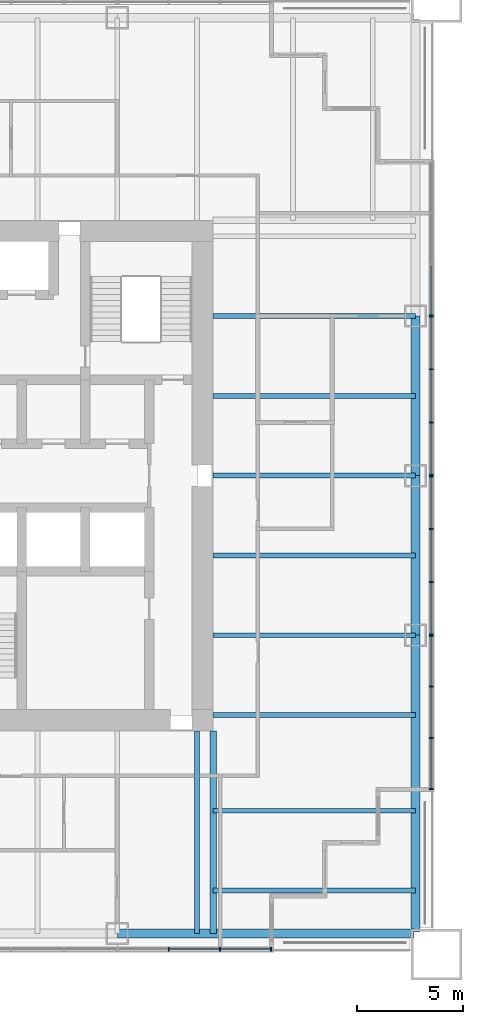
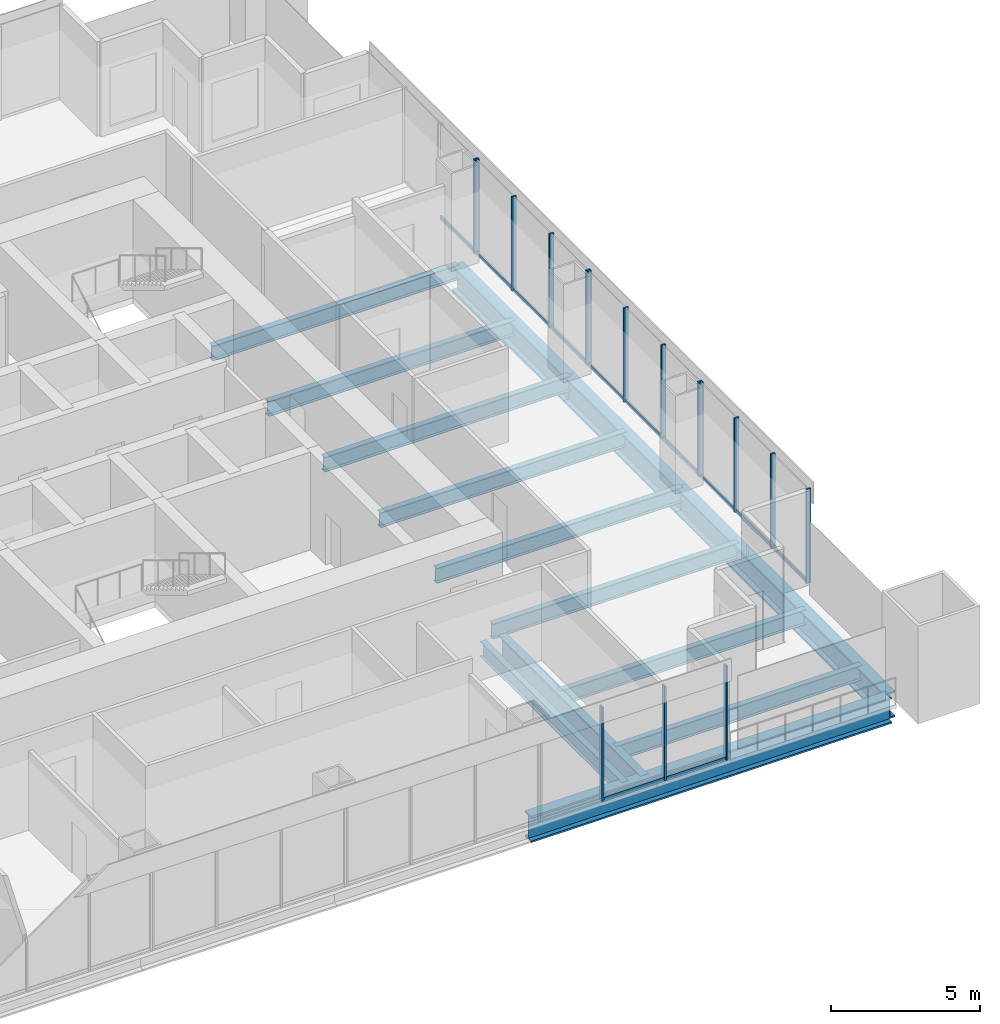
# One storey, part 4 of 13: 28 members, 14 beams, 5 elements without a shape of their own.
"""IFC4 building model written with IfcOpenShell, lengths in metres."""

from ifc_helpers import new_model, si_unit, direction, frame, origin, origin_2d, place, context, subcontext, project, spatial, rectangle, i_section, extrude, material, material_profile, profile_set, type_object, element, aggregate, save


model = new_model("IFC4")

# Units and contexts
model_context = context("Model", 3, precision=1e-05, world=origin(), true_north=direction((0.0, 1.0)))
body_context = subcontext(model_context, "Body", "Model", "MODEL_VIEW")
ifc_project = project(units=[si_unit("LENGTHUNIT", "METRE"), si_unit("AREAUNIT", "SQUARE_METRE"), si_unit("VOLUMEUNIT", "CUBIC_METRE"), si_unit("PLANEANGLEUNIT", "RADIAN"), si_unit("MASSUNIT", "GRAM", prefix="KILO")], contexts=[model_context])

# Site, building, storey
site_placement = place(None, origin())
site = spatial("IfcSite", under=ifc_project, at=site_placement, CompositionType="ELEMENT")
building_placement = place(site_placement, origin())
building = spatial("IfcBuilding", under=site, at=building_placement, Name="Tarangal Relay Tower", CompositionType="ELEMENT")
storey_placement = place(building_placement, frame((0.0, 0.0, 209.89990234375)))
storey = spatial("IfcBuildingStorey", under=building, at=storey_placement, Name="L44", CompositionType="ELEMENT", Elevation=209.89990234375)

# Beams
ifc_material_1 = material(Name="Steel ASTM A992", Category="steel")
ifc_material_profile_1 = material_profile(ifc_material_1, i_section(OverallWidth=0.227783203125, OverallDepth=0.60205078125, WebThickness=0.010498046875, FlangeThickness=0.014892578125, at=origin_2d()), Name="W24X68")
ifc_profile_set_1 = profile_set([ifc_material_profile_1], Name="Steel ASTM A992")
beam_type_1 = type_object("IfcBeamType", Name="Corner beam W24X68", PredefinedType="JOIST", material=ifc_profile_set_1)
for number, where, z_axis, x_axis, name in (
    (1, (12.0, -15.75, -0.450927734375), (1.0, 0.0, 0.0), (0.0, 1.0, 0.0), "Corner beam CB11 E L44"),
    (2, (12.0, -19.5, -0.450927734375), (1.0, 0.0, 0.0), (0.0, 1.0, 0.0), "Corner beam CB11 E L44"),
):
    element("IfcBeam", number, at=place(storey_placement, frame(where, z_axis=z_axis, x_axis=x_axis)), inside=storey, type_object=beam_type_1, Name=name, PredefinedType="JOIST", context=body_context, shape_type="SweptSolid", body=[
        extrude(i_section(OverallWidth=0.227783203125, OverallDepth=0.60205078125, WebThickness=0.010498046875, FlangeThickness=0.014892578125, at=origin_2d()), origin(), (0.0, 0.0, 1.0), 9.514892578125),
    ])
ifc_material_profile_2 = material_profile(ifc_material_1, i_section(OverallWidth=0.307373046875, OverallDepth=0.9423828125, WebThickness=0.022216796875, FlangeThickness=0.039794921875, at=origin_2d()), Name="W36X232")
ifc_profile_set_2 = profile_set([ifc_material_profile_2], Name="Steel ASTM A992")
beam_type_2 = type_object("IfcBeamType", Name="Corner girder W36X232", PredefinedType="BEAM", material=ifc_profile_set_2)
beam_placement = place(storey_placement, frame((12.0, -12.0, -0.62109375), z_axis=(0.0, -1.0, 0.0), x_axis=(1.0, 0.0, 0.0)))
element("IfcBeam", 3, at=beam_placement, inside=storey, type_object=beam_type_2, Name="Corner girder CG4 E L44", PredefinedType="BEAM", context=body_context, shape_type="SweptSolid", body=[
    extrude(i_section(OverallWidth=0.307373046875, OverallDepth=0.9423828125, WebThickness=0.022216796875, FlangeThickness=0.039794921875, at=origin_2d()), origin(), (0.0, 0.0, 1.0), 9.514892578125),
])
ifc_material_profile_3 = material_profile(ifc_material_1, i_section(OverallWidth=0.41650390625, OverallDepth=1.0693359375, WebThickness=0.0390625, FlangeThickness=0.070068359375, at=origin_2d()), Name="W40X503")
ifc_profile_set_3 = profile_set([ifc_material_profile_3], Name="Steel ASTM A992")
beam_type_3 = type_object("IfcBeamType", Name="Edge girder W40X503", PredefinedType="SPANDREL", material=ifc_profile_set_3)
for number, where, z_axis, x_axis, name in (
    (4, (21.514892578125, 7.5, -0.6845703125), (0.0, -1.0, 0.0), (1.0, 0.0, 0.0), "Edge girder EG8 E L44"),
    (5, (21.514892578125, 0.0, -0.6845703125), (0.0, -1.0, 0.0), (1.0, 0.0, 0.0), "Edge girder EG8 E L44"),
):
    element("IfcBeam", number, at=place(storey_placement, frame(where, z_axis=z_axis, x_axis=x_axis)), inside=storey, type_object=beam_type_3, Name=name, PredefinedType="SPANDREL", context=body_context, shape_type="SweptSolid", body=[
        extrude(i_section(OverallWidth=0.41650390625, OverallDepth=1.0693359375, WebThickness=0.0390625, FlangeThickness=0.070068359375, at=origin_2d()), origin(), (0.0, 0.0, 1.0), 7.5),
    ])
for number, where, z_axis, x_axis, name in (
    (6, (21.514892578125, -7.5, -0.6845703125), (0.0, -1.0, 0.0), (1.0, 0.0, 0.0), "Edge girder EG8 E L44"),
    (7, (21.449951171875, -21.514892578125, -0.6845703125), (-1.0, 0.0, 0.0), (0.0, -1.0, 0.0), "Edge girder EG8 S L44"),
):
    element("IfcBeam", number, at=place(storey_placement, frame(where, z_axis=z_axis, x_axis=x_axis)), inside=storey, type_object=beam_type_3, Name=name, PredefinedType="SPANDREL", context=body_context, shape_type="SweptSolid", body=[
        extrude(i_section(OverallWidth=0.41650390625, OverallDepth=1.0693359375, WebThickness=0.0390625, FlangeThickness=0.070068359375, at=origin_2d()), origin(), (0.0, 0.0, 1.0), 13.949951171875),
    ])
ifc_material_profile_4 = material_profile(ifc_material_1, i_section(OverallWidth=0.22900390625, OverallDepth=0.612060546875, WebThickness=0.011962890625, FlangeThickness=0.01953125, at=origin_2d()), Name="W24X84")
ifc_profile_set_4 = profile_set([ifc_material_profile_4], Name="Steel ASTM A992")
beam_type_4 = type_object("IfcBeamType", Name="Floor beam W24X84", PredefinedType="BEAM", material=ifc_profile_set_4)
for number, where, z_axis, x_axis, name in (
    (8, (12.0, 7.5, -0.455810546875), (1.0, 0.0, 0.0), (0.0, 1.0, 0.0), "Floor beam RB12 E L44"),
    (9, (12.0, 3.75, -0.455810546875), (1.0, 0.0, 0.0), (0.0, 1.0, 0.0), "Floor beam RB12 E L44"),
    (10, (12.0, 0.0, -0.455810546875), (1.0, 0.0, 0.0), (0.0, 1.0, 0.0), "Floor beam RB12 E L44"),
    (11, (12.0, -3.75, -0.455810546875), (1.0, 0.0, 0.0), (0.0, 1.0, 0.0), "Floor beam RB12 E L44"),
    (12, (12.0, -7.5, -0.455810546875), (1.0, 0.0, 0.0), (0.0, 1.0, 0.0), "Floor beam RB12 E L44"),
    (13, (12.0, -11.25, -0.455810546875), (1.0, 0.0, 0.0), (0.0, 1.0, 0.0), "Floor beam RB12 E L44"),
    (14, (11.25, -12.0, -0.455810546875), (0.0, -1.0, 0.0), (1.0, 0.0, 0.0), "Floor beam RB12 S L44"),
):
    element("IfcBeam", number, at=place(storey_placement, frame(where, z_axis=z_axis, x_axis=x_axis)), inside=storey, type_object=beam_type_4, Name=name, PredefinedType="BEAM", context=body_context, shape_type="SweptSolid", body=[
        extrude(i_section(OverallWidth=0.22900390625, OverallDepth=0.612060546875, WebThickness=0.011962890625, FlangeThickness=0.01953125, at=origin_2d()), origin(), (0.0, 0.0, 1.0), 9.514892578125),
    ])

# Curtain wall, member
ifc_material_2 = material(Name="Unitised curtain wall, dark glass and black aluminium", Category="aluminium")
curtain_wall_type = type_object("IfcCurtainWallType", Name="Curtain wall CW-A", PredefinedType="USERDEFINED", material=ifc_material_2)
curtain_wall_1_placement = place(storey_placement, origin())
curtain_wall_1 = element("IfcCurtainWall", 15, at=curtain_wall_1_placement, inside=storey, type_object=curtain_wall_type, Name="Curtain wall CW-A E facade L44", ObjectType="UNITISED CURTAIN WALL", PredefinedType="USERDEFINED")
ifc_material_3 = material(Name="Black anodised aluminium mullion", Category="aluminium")
ifc_material_profile_5 = material_profile(ifc_material_3, rectangle(XDim=0.175048828125, YDim=0.06494140625, at=origin_2d()), Name="CW-AM 65X175")
ifc_profile_set_5 = profile_set([ifc_material_profile_5], Name="Black anodised aluminium mullion")
member_type_1 = type_object("IfcMemberType", Name="Mullion CW-A 65 x 175", PredefinedType="MULLION", material=ifc_profile_set_5)
member_1_placement = place(storey_placement, frame((22.25, 7.532470703125, 0.0), z_axis=(0.0, 0.0, 1.0), x_axis=(1.0, 0.0, 0.0)))
member_1 = element("IfcMember", 16, at=member_1_placement, type_object=member_type_1, Name="CW-A mullion 4", PredefinedType="MULLION", context=body_context, shape_type="SweptSolid", body=[
    extrude(rectangle(XDim=0.175048828125, YDim=0.06494140625, at=origin_2d()), origin(), (0.0, 0.0, 1.0), 3.85009765625),
])

# Curtain wall, members
curtain_wall_2_placement = place(storey_placement, origin())
curtain_wall_2 = element("IfcCurtainWall", 17, at=curtain_wall_2_placement, inside=storey, type_object=curtain_wall_type, Name="Curtain wall CW-A E facade L44", ObjectType="UNITISED CURTAIN WALL", PredefinedType="USERDEFINED")
member_2_placement = place(storey_placement, frame((22.25, 7.467529296875, 0.0), z_axis=(0.0, 0.0, 1.0), x_axis=(1.0, 0.0, 0.0)))
member_2 = element("IfcMember", 18, at=member_2_placement, type_object=member_type_1, Name="CW-A mullion 1", PredefinedType="MULLION", context=body_context, shape_type="SweptSolid", body=[
    extrude(rectangle(XDim=0.175048828125, YDim=0.06494140625, at=origin_2d()), origin(), (0.0, 0.0, 1.0), 3.85009765625),
])
member_3_placement = place(storey_placement, frame((22.25, 5.0, 0.0), z_axis=(0.0, 0.0, 1.0), x_axis=(1.0, 0.0, 0.0)))
member_3 = element("IfcMember", 19, at=member_3_placement, type_object=member_type_1, Name="CW-A mullion 2", PredefinedType="MULLION", context=body_context, shape_type="SweptSolid", body=[
    extrude(rectangle(XDim=0.175048828125, YDim=0.06494140625, at=origin_2d()), origin(), (0.0, 0.0, 1.0), 3.85009765625),
])
member_4_placement = place(storey_placement, frame((22.25, 2.5, 0.0), z_axis=(0.0, 0.0, 1.0), x_axis=(1.0, 0.0, 0.0)))
member_4 = element("IfcMember", 20, at=member_4_placement, type_object=member_type_1, Name="CW-A mullion 3", PredefinedType="MULLION", context=body_context, shape_type="SweptSolid", body=[
    extrude(rectangle(XDim=0.175048828125, YDim=0.06494140625, at=origin_2d()), origin(), (0.0, 0.0, 1.0), 3.85009765625),
])
member_5_placement = place(storey_placement, frame((22.25, 0.032470703125, 0.0), z_axis=(0.0, 0.0, 1.0), x_axis=(1.0, 0.0, 0.0)))
member_5 = element("IfcMember", 21, at=member_5_placement, type_object=member_type_1, Name="CW-A mullion 4", PredefinedType="MULLION", context=body_context, shape_type="SweptSolid", body=[
    extrude(rectangle(XDim=0.175048828125, YDim=0.06494140625, at=origin_2d()), origin(), (0.0, 0.0, 1.0), 3.85009765625),
])

curtain_wall_3_placement = place(storey_placement, origin())
curtain_wall_3 = element("IfcCurtainWall", 22, at=curtain_wall_3_placement, inside=storey, type_object=curtain_wall_type, Name="Curtain wall CW-A E facade L44", ObjectType="UNITISED CURTAIN WALL", PredefinedType="USERDEFINED")
member_6_placement = place(storey_placement, frame((22.25, -0.032470703125, 0.0), z_axis=(0.0, 0.0, 1.0), x_axis=(1.0, 0.0, 0.0)))
member_6 = element("IfcMember", 23, at=member_6_placement, type_object=member_type_1, Name="CW-A mullion 1", PredefinedType="MULLION", context=body_context, shape_type="SweptSolid", body=[
    extrude(rectangle(XDim=0.175048828125, YDim=0.06494140625, at=origin_2d()), origin(), (0.0, 0.0, 1.0), 3.85009765625),
])
member_7_placement = place(storey_placement, frame((22.25, -2.5, 0.0), z_axis=(0.0, 0.0, 1.0), x_axis=(1.0, 0.0, 0.0)))
member_7 = element("IfcMember", 24, at=member_7_placement, type_object=member_type_1, Name="CW-A mullion 2", PredefinedType="MULLION", context=body_context, shape_type="SweptSolid", body=[
    extrude(rectangle(XDim=0.175048828125, YDim=0.06494140625, at=origin_2d()), origin(), (0.0, 0.0, 1.0), 3.85009765625),
])
member_8_placement = place(storey_placement, frame((22.25, -5.0, 0.0), z_axis=(0.0, 0.0, 1.0), x_axis=(1.0, 0.0, 0.0)))
member_8 = element("IfcMember", 25, at=member_8_placement, type_object=member_type_1, Name="CW-A mullion 3", PredefinedType="MULLION", context=body_context, shape_type="SweptSolid", body=[
    extrude(rectangle(XDim=0.175048828125, YDim=0.06494140625, at=origin_2d()), origin(), (0.0, 0.0, 1.0), 3.85009765625),
])
member_9_placement = place(storey_placement, frame((22.25, -7.467529296875, 0.0), z_axis=(0.0, 0.0, 1.0), x_axis=(1.0, 0.0, 0.0)))
member_9 = element("IfcMember", 26, at=member_9_placement, type_object=member_type_1, Name="CW-A mullion 4", PredefinedType="MULLION", context=body_context, shape_type="SweptSolid", body=[
    extrude(rectangle(XDim=0.175048828125, YDim=0.06494140625, at=origin_2d()), origin(), (0.0, 0.0, 1.0), 3.85009765625),
])

curtain_wall_4_placement = place(storey_placement, origin())
curtain_wall_4 = element("IfcCurtainWall", 27, at=curtain_wall_4_placement, inside=storey, type_object=curtain_wall_type, Name="Curtain wall CW-A E facade L44", ObjectType="UNITISED CURTAIN WALL", PredefinedType="USERDEFINED")
member_10_placement = place(storey_placement, frame((22.25, -7.532470703125, 0.0), z_axis=(0.0, 0.0, 1.0), x_axis=(1.0, 0.0, 0.0)))
member_10 = element("IfcMember", 28, at=member_10_placement, type_object=member_type_1, Name="CW-A mullion 1", PredefinedType="MULLION", context=body_context, shape_type="SweptSolid", body=[
    extrude(rectangle(XDim=0.175048828125, YDim=0.06494140625, at=origin_2d()), origin(), (0.0, 0.0, 1.0), 3.85009765625),
])
member_11_placement = place(storey_placement, frame((22.25, -9.916748046875, 0.0), z_axis=(0.0, 0.0, 1.0), x_axis=(1.0, 0.0, 0.0)))
member_11 = element("IfcMember", 29, at=member_11_placement, type_object=member_type_1, Name="CW-A mullion 2", PredefinedType="MULLION", context=body_context, shape_type="SweptSolid", body=[
    extrude(rectangle(XDim=0.175048828125, YDim=0.06494140625, at=origin_2d()), origin(), (0.0, 0.0, 1.0), 3.85009765625),
])
member_12_placement = place(storey_placement, frame((22.25, -12.333251953125, 0.0), z_axis=(0.0, 0.0, 1.0), x_axis=(1.0, 0.0, 0.0)))
member_12 = element("IfcMember", 30, at=member_12_placement, type_object=member_type_1, Name="CW-A mullion 3", PredefinedType="MULLION", context=body_context, shape_type="SweptSolid", body=[
    extrude(rectangle(XDim=0.175048828125, YDim=0.06494140625, at=origin_2d()), origin(), (0.0, 0.0, 1.0), 3.85009765625),
])
member_13_placement = place(storey_placement, frame((22.25, -14.717529296875, 0.0), z_axis=(0.0, 0.0, 1.0), x_axis=(1.0, 0.0, 0.0)))
member_13 = element("IfcMember", 31, at=member_13_placement, type_object=member_type_1, Name="CW-A mullion 4", PredefinedType="MULLION", context=body_context, shape_type="SweptSolid", body=[
    extrude(rectangle(XDim=0.175048828125, YDim=0.06494140625, at=origin_2d()), origin(), (0.0, 0.0, 1.0), 3.85009765625),
])

curtain_wall_5_placement = place(storey_placement, origin())
curtain_wall_5 = element("IfcCurtainWall", 32, at=curtain_wall_5_placement, inside=storey, type_object=curtain_wall_type, Name="Curtain wall CW-A S facade L44", ObjectType="UNITISED CURTAIN WALL", PredefinedType="USERDEFINED")
member_14_placement = place(storey_placement, frame((14.717529296875, -22.25, 0.0), z_axis=(0.0, 0.0, 1.0), x_axis=(0.0, -1.0, 0.0)))
member_14 = element("IfcMember", 33, at=member_14_placement, type_object=member_type_1, Name="CW-A mullion 1", PredefinedType="MULLION", context=body_context, shape_type="SweptSolid", body=[
    extrude(rectangle(XDim=0.175048828125, YDim=0.06494140625, at=origin_2d()), origin(), (0.0, 0.0, 1.0), 3.85009765625),
])
member_15_placement = place(storey_placement, frame((12.333251953125, -22.25, 0.0), z_axis=(0.0, 0.0, 1.0), x_axis=(0.0, -1.0, 0.0)))
member_15 = element("IfcMember", 34, at=member_15_placement, type_object=member_type_1, Name="CW-A mullion 2", PredefinedType="MULLION", context=body_context, shape_type="SweptSolid", body=[
    extrude(rectangle(XDim=0.175048828125, YDim=0.06494140625, at=origin_2d()), origin(), (0.0, 0.0, 1.0), 3.85009765625),
])
member_16_placement = place(storey_placement, frame((9.916748046875, -22.25, 0.0), z_axis=(0.0, 0.0, 1.0), x_axis=(0.0, -1.0, 0.0)))
member_16 = element("IfcMember", 35, at=member_16_placement, type_object=member_type_1, Name="CW-A mullion 3", PredefinedType="MULLION", context=body_context, shape_type="SweptSolid", body=[
    extrude(rectangle(XDim=0.175048828125, YDim=0.06494140625, at=origin_2d()), origin(), (0.0, 0.0, 1.0), 3.85009765625),
])

# Member
ifc_material_4 = material(Name="Black anodised aluminium transom", Category="aluminium")
ifc_material_profile_6 = material_profile(ifc_material_4, rectangle(XDim=0.06494140625, YDim=0.14990234375, at=origin_2d()), Name="CW-AT 65X150")
ifc_profile_set_6 = profile_set([ifc_material_profile_6], Name="Black anodised aluminium transom")
member_type_2 = type_object("IfcMemberType", Name="Transom CW-A 65 x 150", PredefinedType="USERDEFINED", material=ifc_profile_set_6)
member_17_placement = place(storey_placement, frame((22.25, 9.88427734375, 0.03271484375), z_axis=(0.0, -1.0, 0.0), x_axis=(1.0, 0.0, 0.0)))
member_17 = element("IfcMember", 36, at=member_17_placement, type_object=member_type_2, Name="CW-A transom 3.1", ObjectType="TRANSOM", PredefinedType="USERDEFINED", context=body_context, shape_type="SweptSolid", body=[
    extrude(rectangle(XDim=0.06494140625, YDim=0.14990234375, at=origin_2d()), origin(), (0.0, 0.0, 1.0), 2.3193359375),
])

aggregate(curtain_wall_1, [member_1, member_17])

member_18_placement = place(storey_placement, frame((22.25, 7.43505859375, 0.03271484375), z_axis=(0.0, -1.0, 0.0), x_axis=(1.0, 0.0, 0.0)))
member_18 = element("IfcMember", 37, at=member_18_placement, type_object=member_type_2, Name="CW-A transom 1.1", ObjectType="TRANSOM", PredefinedType="USERDEFINED", context=body_context, shape_type="SweptSolid", body=[
    extrude(rectangle(XDim=0.06494140625, YDim=0.14990234375, at=origin_2d()), origin(), (0.0, 0.0, 1.0), 2.402587890625),
])

member_19_placement = place(storey_placement, frame((22.25, 4.967529296875, 0.03271484375), z_axis=(0.0, -1.0, 0.0), x_axis=(1.0, 0.0, 0.0)))
member_19 = element("IfcMember", 38, at=member_19_placement, type_object=member_type_2, Name="CW-A transom 2.1", ObjectType="TRANSOM", PredefinedType="USERDEFINED", context=body_context, shape_type="SweptSolid", body=[
    extrude(rectangle(XDim=0.06494140625, YDim=0.14990234375, at=origin_2d()), origin(), (0.0, 0.0, 1.0), 2.43505859375),
])

member_20_placement = place(storey_placement, frame((22.25, 2.467529296875, 0.03271484375), z_axis=(0.0, -1.0, 0.0), x_axis=(1.0, 0.0, 0.0)))
member_20 = element("IfcMember", 39, at=member_20_placement, type_object=member_type_2, Name="CW-A transom 3.1", ObjectType="TRANSOM", PredefinedType="USERDEFINED", context=body_context, shape_type="SweptSolid", body=[
    extrude(rectangle(XDim=0.06494140625, YDim=0.14990234375, at=origin_2d()), origin(), (0.0, 0.0, 1.0), 2.402587890625),
])

aggregate(curtain_wall_2, [member_2, member_3, member_4, member_5, member_18, member_19, member_20])

member_21_placement = place(storey_placement, frame((22.25, -0.06494140625, 0.03271484375), z_axis=(0.0, -1.0, 0.0), x_axis=(1.0, 0.0, 0.0)))
member_21 = element("IfcMember", 40, at=member_21_placement, type_object=member_type_2, Name="CW-A transom 1.1", ObjectType="TRANSOM", PredefinedType="USERDEFINED", context=body_context, shape_type="SweptSolid", body=[
    extrude(rectangle(XDim=0.06494140625, YDim=0.14990234375, at=origin_2d()), origin(), (0.0, 0.0, 1.0), 2.402587890625),
])

member_22_placement = place(storey_placement, frame((22.25, -2.532470703125, 0.03271484375), z_axis=(0.0, -1.0, 0.0), x_axis=(1.0, 0.0, 0.0)))
member_22 = element("IfcMember", 41, at=member_22_placement, type_object=member_type_2, Name="CW-A transom 2.1", ObjectType="TRANSOM", PredefinedType="USERDEFINED", context=body_context, shape_type="SweptSolid", body=[
    extrude(rectangle(XDim=0.06494140625, YDim=0.14990234375, at=origin_2d()), origin(), (0.0, 0.0, 1.0), 2.43505859375),
])

member_23_placement = place(storey_placement, frame((22.25, -5.032470703125, 0.03271484375), z_axis=(0.0, -1.0, 0.0), x_axis=(1.0, 0.0, 0.0)))
member_23 = element("IfcMember", 42, at=member_23_placement, type_object=member_type_2, Name="CW-A transom 3.1", ObjectType="TRANSOM", PredefinedType="USERDEFINED", context=body_context, shape_type="SweptSolid", body=[
    extrude(rectangle(XDim=0.06494140625, YDim=0.14990234375, at=origin_2d()), origin(), (0.0, 0.0, 1.0), 2.402587890625),
])

aggregate(curtain_wall_3, [member_6, member_7, member_8, member_9, member_21, member_22, member_23])

member_24_placement = place(storey_placement, frame((22.25, -7.56494140625, 0.03271484375), z_axis=(0.0, -1.0, 0.0), x_axis=(1.0, 0.0, 0.0)))
member_24 = element("IfcMember", 43, at=member_24_placement, type_object=member_type_2, Name="CW-A transom 1.1", ObjectType="TRANSOM", PredefinedType="USERDEFINED", context=body_context, shape_type="SweptSolid", body=[
    extrude(rectangle(XDim=0.06494140625, YDim=0.14990234375, at=origin_2d()), origin(), (0.0, 0.0, 1.0), 2.3193359375),
])

member_25_placement = place(storey_placement, frame((22.25, -9.94921875, 0.03271484375), z_axis=(0.0, -1.0, 0.0), x_axis=(1.0, 0.0, 0.0)))
member_25 = element("IfcMember", 44, at=member_25_placement, type_object=member_type_2, Name="CW-A transom 2.1", ObjectType="TRANSOM", PredefinedType="USERDEFINED", context=body_context, shape_type="SweptSolid", body=[
    extrude(rectangle(XDim=0.06494140625, YDim=0.14990234375, at=origin_2d()), origin(), (0.0, 0.0, 1.0), 2.3515625),
])

member_26_placement = place(storey_placement, frame((22.25, -12.36572265625, 0.03271484375), z_axis=(0.0, -1.0, 0.0), x_axis=(1.0, 0.0, 0.0)))
member_26 = element("IfcMember", 45, at=member_26_placement, type_object=member_type_2, Name="CW-A transom 3.1", ObjectType="TRANSOM", PredefinedType="USERDEFINED", context=body_context, shape_type="SweptSolid", body=[
    extrude(rectangle(XDim=0.06494140625, YDim=0.14990234375, at=origin_2d()), origin(), (0.0, 0.0, 1.0), 2.3193359375),
])

aggregate(curtain_wall_4, [member_10, member_11, member_12, member_13, member_24, member_25, member_26])

member_27_placement = place(storey_placement, frame((14.68505859375, -22.25, 0.03271484375), z_axis=(-1.0, 0.0, 0.0), x_axis=(0.0, -1.0, 0.0)))
member_27 = element("IfcMember", 46, at=member_27_placement, type_object=member_type_2, Name="CW-A transom 1.1", ObjectType="TRANSOM", PredefinedType="USERDEFINED", context=body_context, shape_type="SweptSolid", body=[
    extrude(rectangle(XDim=0.06494140625, YDim=0.14990234375, at=origin_2d()), origin(), (0.0, 0.0, 1.0), 2.3193359375),
])

member_28_placement = place(storey_placement, frame((12.30078125, -22.25, 0.03271484375), z_axis=(-1.0, 0.0, 0.0), x_axis=(0.0, -1.0, 0.0)))
member_28 = element("IfcMember", 47, at=member_28_placement, type_object=member_type_2, Name="CW-A transom 2.1", ObjectType="TRANSOM", PredefinedType="USERDEFINED", context=body_context, shape_type="SweptSolid", body=[
    extrude(rectangle(XDim=0.06494140625, YDim=0.14990234375, at=origin_2d()), origin(), (0.0, 0.0, 1.0), 2.3515625),
])

aggregate(curtain_wall_5, [member_14, member_15, member_16, member_27, member_28])

save(model, "model.ifc")
